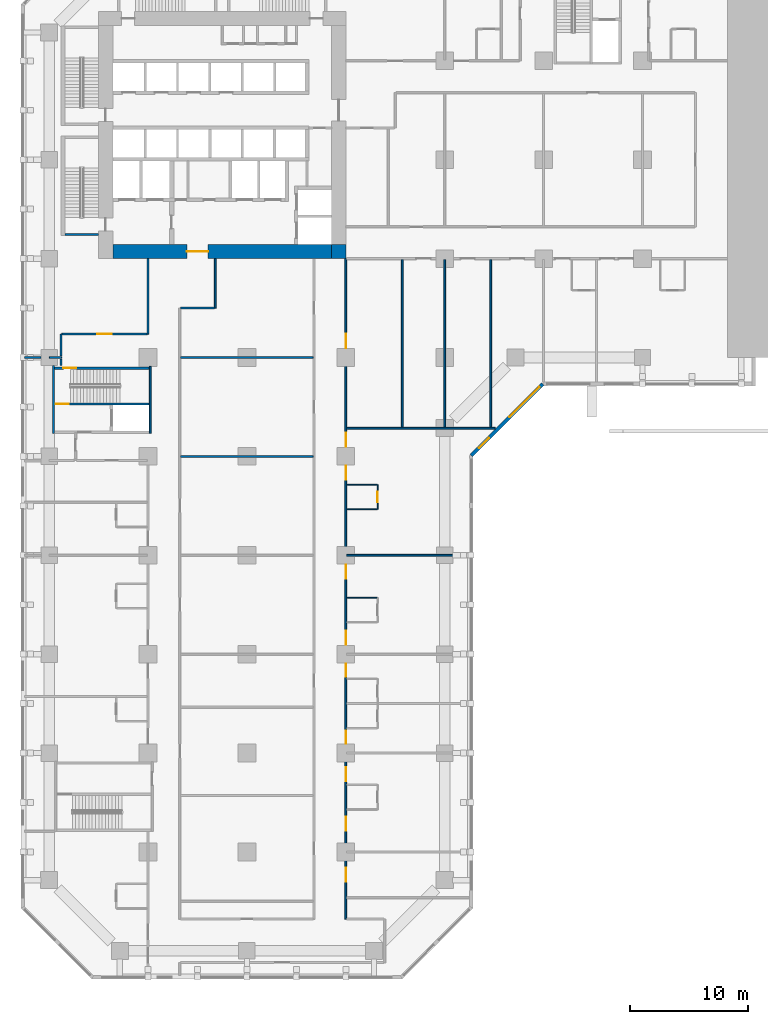
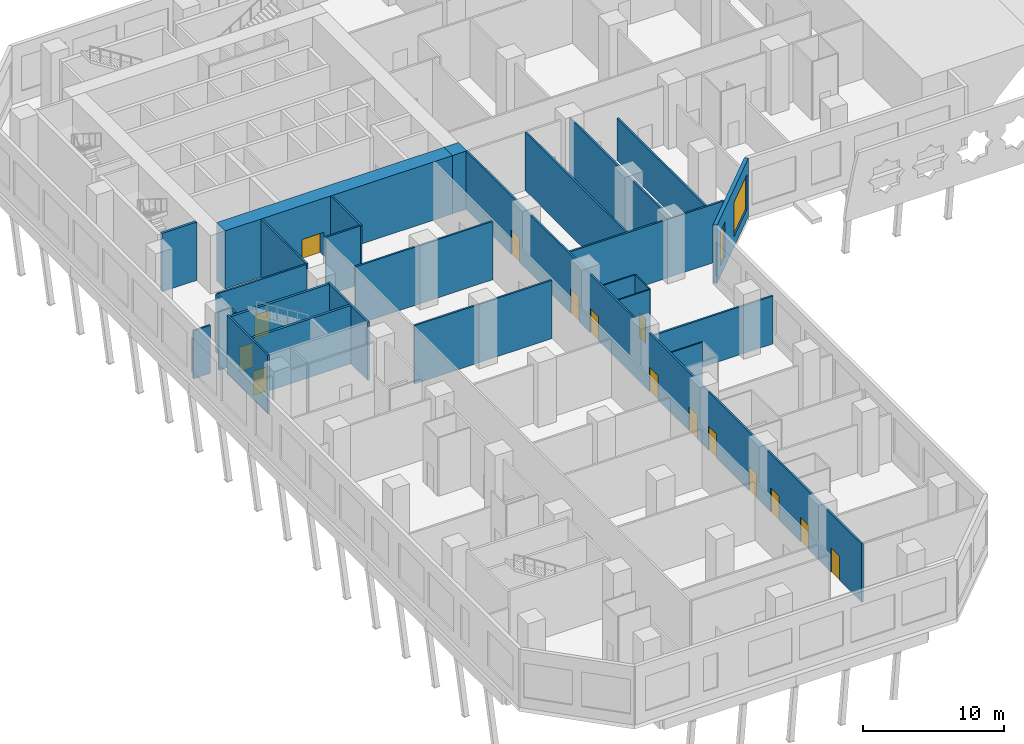
# One storey, part 7 of 24: 28 walls, 15 doors, 2 windows, 17 openings.
"""IFC4 building model written with IfcOpenShell, lengths in metres."""

from ifc_helpers import new_model, si_unit, direction, frame, frame_2d, origin, place, context, subcontext, project, spatial, rectangle, extrude, material, layer, layer_set, type_object, element, fill, save


model = new_model("IFC4")

# Units and contexts
model_context = context("Model", 3, precision=1e-05, world=origin(), true_north=direction((0.0, 1.0)))
body_context = subcontext(model_context, "Body", "Model", "MODEL_VIEW")
ifc_project = project(units=[si_unit("LENGTHUNIT", "METRE"), si_unit("AREAUNIT", "SQUARE_METRE"), si_unit("VOLUMEUNIT", "CUBIC_METRE"), si_unit("PLANEANGLEUNIT", "RADIAN"), si_unit("MASSUNIT", "GRAM", prefix="KILO")], contexts=[model_context])

# Site, building, storey
site_placement = place(None, origin())
site = spatial("IfcSite", under=ifc_project, at=site_placement, CompositionType="ELEMENT")
building_placement = place(site_placement, origin())
building = spatial("IfcBuilding", under=site, at=building_placement, Name="Kawkab Arch Medical Tower", CompositionType="ELEMENT")
storey_placement = place(building_placement, frame((0.0, 0.0, 18.199951171875)))
storey = spatial("IfcBuildingStorey", under=building, at=storey_placement, Name="L04", CompositionType="ELEMENT", Elevation=18.199951171875)

# Wall, opening, door
ifc_material_1 = material(Name="Concrete C60/75", Category="concrete")
ifc_layer_1 = layer(ifc_material_1, 1.199951171875)
ifc_layer_set_1 = layer_set([ifc_layer_1], Name="Concrete C60/75")
wall_type_1 = type_object("IfcWallType", Name="Core ring wall 1200 C60/75", PredefinedType="SHEAR", material=ifc_layer_set_1)
wall_1_placement = place(storey_placement, frame((5.39990234375, -24.60009765625, 0.0), z_axis=(0.0, 0.0, 1.0), x_axis=(1.0, 0.0, 0.0)))
wall_1 = element("IfcWall", 1, at=wall_1_placement, inside=storey, type_object=wall_type_1, Name="L04 core wall", PredefinedType="SHEAR", context=body_context, shape_type="SweptSolid", body=[
    extrude(rectangle(XDim=18.60009765625, YDim=1.199951171875, at=frame_2d((9.300048828125, 0.0))), origin(), (0.0, 0.0, 1.0), 5.050048828125),
])
opening_1_placement = place(wall_1_placement, frame((6.300048828125, 0.0, 0.0)))
opening_1 = element("IfcOpeningElement", 2, at=opening_1_placement, cuts=wall_1, Name="Opening PD", PredefinedType="OPENING", context=body_context, shape_type="SweptSolid", body=[
    extrude(rectangle(XDim=1.800048828125, YDim=2.10009765625, at=frame_2d((0.89990234375, 1.050048828125))), frame((0.0, 0.60986328125, 0.0), z_axis=(0.0, -1.0, 0.0), x_axis=(1.0, 0.0, 0.0)), (0.0, 0.0, 1.0), 1.219970703125),
])
ifc_material_2 = material(Name="Hollow metal fire door leaf")
door_type_1 = type_object("IfcDoorType", Name="Core entrance doors 1800", OperationType="DOUBLE_DOOR_SINGLE_SWING", PredefinedType="DOOR", material=ifc_material_2)
door_1_placement = place(opening_1_placement, origin())
door_1 = element("IfcDoor", 3, at=door_1_placement, inside=storey, type_object=door_type_1, Name="L04 South entrance doors", OperationType="DOUBLE_DOOR_SINGLE_SWING", OverallHeight=2.10009765625, OverallWidth=1.800048828125, PredefinedType="DOOR", context=body_context, shape_type="SweptSolid", body=[
    extrude(rectangle(XDim=1.800048828125, YDim=2.10009765625, at=frame_2d((0.89990234375, 1.050048828125))), frame((0.0, 0.02490234375, 0.0), z_axis=(0.0, -1.0, 0.0), x_axis=(1.0, 0.0, 0.0)), (0.0, 0.0, 1.0), 0.050048828125),
])
fill(opening_1, door_1)

# Walls
wall_2_placement = place(storey_placement, frame((24.60009765625, -25.199951171875, 0.0), z_axis=(0.0, 0.0, 1.0), x_axis=(0.0, 1.0, 0.0)))
element("IfcWall", 4, at=wall_2_placement, inside=storey, type_object=wall_type_1, Name="L04 core wall", PredefinedType="SHEAR", context=body_context, shape_type="SweptSolid", body=[
    extrude(rectangle(XDim=1.199951171875, YDim=1.199951171875, at=frame_2d((0.60009765625, 0.0))), origin(), (0.0, 0.0, 1.0), 5.050048828125),
])
ifc_material_3 = material(Name="Gypsum board partition on steel studs", Category="steel")
ifc_layer_2 = layer(ifc_material_3, 0.10009765625)
ifc_layer_set_2 = layer_set([ifc_layer_2], Name="Gypsum board partition on steel studs")
wall_type_2 = type_object("IfcWallType", Name="Partition 100", PredefinedType="PARTITIONING", material=ifc_layer_set_2)
for number, where, z_axis, x_axis, name in (
    (5, (25.27490234375, -54.0, 0.0), (0.0, 0.0, 1.0), (1.0, 0.0, 0.0), "Partition 100 w010"),
    (6, (25.27490234375, -46.5, 0.0), (0.0, 0.0, 1.0), (1.0, 0.0, 0.0), "Partition 100 w013"),
):
    element("IfcWall", number, at=place(storey_placement, frame(where, z_axis=z_axis, x_axis=x_axis)), inside=storey, type_object=wall_type_2, Name=name, PredefinedType="PARTITIONING", context=body_context, shape_type="SweptSolid", body=[
        extrude(rectangle(XDim=2.57421875, YDim=0.10009765625, at=frame_2d((1.287109375, 0.0))), origin(), (0.0, 0.0, 1.0), 5.050048828125),
    ])
wall_3_placement = place(storey_placement, frame((25.27490234375, -44.39990234375, 0.0), z_axis=(0.0, 0.0, 1.0), x_axis=(1.0, 0.0, 0.0)))
element("IfcWall", 7, at=wall_3_placement, inside=storey, type_object=wall_type_2, Name="Partition 100 w014", PredefinedType="PARTITIONING", context=body_context, shape_type="SweptSolid", body=[
    extrude(rectangle(XDim=2.572998046875, YDim=0.10009765625, at=frame_2d((1.28662109375, 0.0))), origin(), (0.0, 0.0, 1.0), 5.050048828125),
])

# Wall, opening, door
wall_4_placement = place(storey_placement, frame((27.89990234375, -46.498046875, 0.0), z_axis=(0.0, 0.0, 1.0), x_axis=(0.0, 1.0, 0.0)))
wall_4 = element("IfcWall", 8, at=wall_4_placement, inside=storey, type_object=wall_type_2, Name="Partition 100 w029", PredefinedType="PARTITIONING", context=body_context, shape_type="SweptSolid", body=[
    extrude(rectangle(XDim=2.095947265625, YDim=0.10009765625, at=frame_2d((1.0478515625, 0.0))), origin(), (0.0, 0.0, 1.0), 5.050048828125),
])
opening_2_placement = place(wall_4_placement, frame((0.597900390625, 0.0, 0.0)))
opening_2 = element("IfcOpeningElement", 9, at=opening_2_placement, cuts=wall_4, Name="Opening P04-013", PredefinedType="OPENING", context=body_context, shape_type="SweptSolid", body=[
    extrude(rectangle(XDim=0.89990234375, YDim=2.10009765625, at=frame_2d((0.449951171875, 1.050048828125))), frame((0.0, 0.06005859375, 0.0), z_axis=(0.0, -1.0, 0.0), x_axis=(1.0, 0.0, 0.0)), (0.0, 0.0, 1.0), 0.1201171875),
])
ifc_material_4 = material(Name="Timber door leaf", Category="wood")
door_type_2 = type_object("IfcDoorType", Name="Single door 900x2100", OperationType="NOTDEFINED", PredefinedType="DOOR", material=ifc_material_4)
door_2_placement = place(opening_2_placement, origin())
door_2 = element("IfcDoor", 10, at=door_2_placement, inside=storey, type_object=door_type_2, Name="Door P04-013", OperationType="SINGLE_SWING_LEFT", OverallHeight=2.10009765625, OverallWidth=0.89990234375, PredefinedType="DOOR", context=body_context, shape_type="SweptSolid", body=[
    extrude(rectangle(XDim=0.89990234375, YDim=2.10009765625, at=frame_2d((0.449951171875, 1.050048828125))), frame((0.0, 0.02490234375, 0.0), z_axis=(0.0, -1.0, 0.0), x_axis=(1.0, 0.0, 0.0)), (0.0, 0.0, 1.0), 0.050048828125),
])
fill(opening_2, door_2)

# Walls
ifc_material_5 = material(Name="Gypsum board partition on steel studs, mineral wool", Category="steel")
ifc_layer_3 = layer(ifc_material_5, 0.14990234375)
ifc_layer_set_3 = layer_set([ifc_layer_3], Name="Gypsum board partition on steel studs, mineral wool")
wall_type_3 = type_object("IfcWallType", Name="Partition 150", PredefinedType="PARTITIONING", material=ifc_layer_set_3)
wall_5_placement = place(storey_placement, frame((25.27490234375, -50.39990234375, 0.0), z_axis=(0.0, 0.0, 1.0), x_axis=(1.0, 0.0, 0.0)))
element("IfcWall", 11, at=wall_5_placement, inside=storey, type_object=wall_type_3, Name="Partition 150 w059", PredefinedType="PARTITIONING", context=body_context, shape_type="SweptSolid", body=[
    extrude(rectangle(XDim=10.405029296875, YDim=0.14990234375, at=frame_2d((5.20263671875, 0.0))), origin(), (0.0, 0.0, 1.0), 4.150146484375),
])
wall_6_placement = place(storey_placement, frame((11.175048828125, -42.0, 0.0), z_axis=(0.0, 0.0, 1.0), x_axis=(1.0, 0.0, 0.0)))
element("IfcWall", 12, at=wall_6_placement, inside=storey, type_object=wall_type_3, Name="Partition 150 w064", PredefinedType="PARTITIONING", context=body_context, shape_type="SweptSolid", body=[
    extrude(rectangle(XDim=11.25, YDim=0.14990234375, at=frame_2d((5.625, 0.0))), origin(), (0.0, 0.0, 1.0), 5.050048828125),
])
wall_7_placement = place(storey_placement, frame((25.27490234375, -39.60009765625, 0.0), z_axis=(0.0, 0.0, 1.0), x_axis=(1.0, 0.0, 0.0)))
element("IfcWall", 13, at=wall_7_placement, inside=storey, type_object=wall_type_3, Name="Partition 150 w065", PredefinedType="PARTITIONING", context=body_context, shape_type="SweptSolid", body=[
    extrude(rectangle(XDim=12.612060546875, YDim=0.14990234375, at=frame_2d((6.30615234375, 0.0))), origin(), (0.0, 0.0, 1.0), 5.050048828125),
])
wall_8_placement = place(storey_placement, frame((-2.080078125, -33.60009765625, 0.0), z_axis=(0.0, 0.0, 1.0), x_axis=(1.0, 0.0, 0.0)))
element("IfcWall", 14, at=wall_8_placement, inside=storey, type_object=wall_type_3, Name="Partition 150 w066", PredefinedType="PARTITIONING", context=body_context, shape_type="SweptSolid", body=[
    extrude(rectangle(XDim=1.380126953125, YDim=0.14990234375, at=frame_2d((0.68994140625, 0.0))), origin(), (0.0, 0.0, 1.0), 4.150146484375),
])
wall_9_placement = place(storey_placement, frame((0.006103515625, -33.60009765625, 0.0), z_axis=(0.0, 0.0, 1.0), x_axis=(1.0, 0.0, 0.0)))
element("IfcWall", 15, at=wall_9_placement, inside=storey, type_object=wall_type_3, Name="Partition 150 w067", PredefinedType="PARTITIONING", context=body_context, shape_type="SweptSolid", body=[
    extrude(rectangle(XDim=1.04296875, YDim=0.14990234375, at=frame_2d((0.521484375, 0.0))), origin(), (0.0, 0.0, 1.0), 5.050048828125),
])
wall_10_placement = place(storey_placement, frame((11.175048828125, -33.60009765625, 0.0), z_axis=(0.0, 0.0, 1.0), x_axis=(1.0, 0.0, 0.0)))
element("IfcWall", 16, at=wall_10_placement, inside=storey, type_object=wall_type_3, Name="Partition 150 w068", PredefinedType="PARTITIONING", context=body_context, shape_type="SweptSolid", body=[
    extrude(rectangle(XDim=11.25, YDim=0.14990234375, at=frame_2d((5.625, 0.0))), origin(), (0.0, 0.0, 1.0), 5.050048828125),
])

# Wall, opening, door
wall_11_placement = place(storey_placement, frame((1.076904296875, -31.60693359375, 0.0), z_axis=(0.0, 0.0, 1.0), x_axis=(1.0, 0.0, 0.0)))
wall_11 = element("IfcWall", 17, at=wall_11_placement, inside=storey, type_object=wall_type_3, Name="Partition 150 w069", PredefinedType="PARTITIONING", context=body_context, shape_type="SweptSolid", body=[
    extrude(rectangle(XDim=7.248046875, YDim=0.14990234375, at=frame_2d((3.6240234375, 0.0))), origin(), (0.0, 0.0, 1.0), 5.050048828125),
])
opening_3_placement = place(wall_11_placement, frame((3.02392578125, 0.0, 0.0)))
opening_3 = element("IfcOpeningElement", 18, at=opening_3_placement, cuts=wall_11, Name="Opening P04-055", PredefinedType="OPENING", context=body_context, shape_type="SweptSolid", body=[
    extrude(rectangle(XDim=1.199951171875, YDim=2.10009765625, at=frame_2d((0.60009765625, 1.050048828125))), frame((0.0, 0.0849609375, 0.0), z_axis=(0.0, -1.0, 0.0), x_axis=(1.0, 0.0, 0.0)), (0.0, 0.0, 1.0), 0.169921875),
])
ifc_material_6 = material(Name="Hollow metal door leaf")
door_type_3 = type_object("IfcDoorType", Name="Single door 1200x2100 FD30S", OperationType="NOTDEFINED", PredefinedType="DOOR", material=ifc_material_6)
door_3_placement = place(opening_3_placement, origin())
door_3 = element("IfcDoor", 19, at=door_3_placement, inside=storey, type_object=door_type_3, Name="Door P04-055", OperationType="SINGLE_SWING_LEFT", OverallHeight=2.10009765625, OverallWidth=1.199951171875, PredefinedType="DOOR", context=body_context, shape_type="SweptSolid", body=[
    extrude(rectangle(XDim=1.199951171875, YDim=2.10009765625, at=frame_2d((0.60009765625, 1.050048828125))), frame((0.0, 0.02490234375, 0.0), z_axis=(0.0, -1.0, 0.0), x_axis=(1.0, 0.0, 0.0)), (0.0, 0.0, 1.0), 0.050048828125),
])
fill(opening_3, door_3)

# Walls
wall_12_placement = place(storey_placement, frame((11.175048828125, -29.39990234375, 0.0), z_axis=(0.0, 0.0, 1.0), x_axis=(1.0, 0.0, 0.0)))
element("IfcWall", 20, at=wall_12_placement, inside=storey, type_object=wall_type_3, Name="Partition 150 w070", PredefinedType="PARTITIONING", context=body_context, shape_type="SweptSolid", body=[
    extrude(rectangle(XDim=2.849853515625, YDim=0.14990234375, at=frame_2d((1.4248046875, 0.0))), origin(), (0.0, 0.0, 1.0), 5.050048828125),
])
wall_13_placement = place(storey_placement, frame((1.0, -34.27294921875, 0.0), z_axis=(0.0, 0.0, 1.0), x_axis=(0.0, 1.0, 0.0)))
element("IfcWall", 21, at=wall_13_placement, inside=storey, type_object=wall_type_3, Name="Partition 150 w087", PredefinedType="PARTITIONING", context=body_context, shape_type="SweptSolid", body=[
    extrude(rectangle(XDim=0.537841796875, YDim=0.14990234375, at=frame_2d((0.26904296875, 0.0))), origin(), (0.0, 0.0, 1.0), 5.050048828125),
])
wall_14_placement = place(storey_placement, frame((1.0, -33.465087890625, 0.0), z_axis=(0.0, 0.0, 1.0), x_axis=(0.0, 1.0, 0.0)))
element("IfcWall", 22, at=wall_14_placement, inside=storey, type_object=wall_type_3, Name="Partition 150 w088", PredefinedType="PARTITIONING", context=body_context, shape_type="SweptSolid", body=[
    extrude(rectangle(XDim=1.856201171875, YDim=0.14990234375, at=frame_2d((0.92822265625, 0.0))), origin(), (0.0, 0.0, 1.0), 5.050048828125),
])
wall_15_placement = place(storey_placement, frame((8.39990234375, -31.60693359375, 0.0), z_axis=(0.0, 0.0, 1.0), x_axis=(0.0, 1.0, 0.0)))
element("IfcWall", 23, at=wall_15_placement, inside=storey, type_object=wall_type_3, Name="Partition 150 w093", PredefinedType="PARTITIONING", context=body_context, shape_type="SweptSolid", body=[
    extrude(rectangle(XDim=6.406982421875, YDim=0.14990234375, at=frame_2d((3.20361328125, 0.0))), origin(), (0.0, 0.0, 1.0), 5.050048828125),
])
wall_16_placement = place(storey_placement, frame((14.10009765625, -29.39990234375, 0.0), z_axis=(0.0, 0.0, 1.0), x_axis=(0.0, 1.0, 0.0)))
element("IfcWall", 24, at=wall_16_placement, inside=storey, type_object=wall_type_3, Name="Partition 150 w096", PredefinedType="PARTITIONING", context=body_context, shape_type="SweptSolid", body=[
    extrude(rectangle(XDim=4.199951171875, YDim=0.14990234375, at=frame_2d((2.10009765625, 0.0))), origin(), (0.0, 0.0, 1.0), 5.050048828125),
])

# Wall, openings, doors
wall_17_placement = place(storey_placement, frame((25.199951171875, -81.300048828125, 0.0), z_axis=(0.0, 0.0, 1.0), x_axis=(0.0, 1.0, 0.0)))
wall_17 = element("IfcWall", 25, at=wall_17_placement, inside=storey, type_object=wall_type_3, Name="Partition 150 w098", PredefinedType="PARTITIONING", context=body_context, shape_type="SweptSolid", body=[
    extrude(rectangle(XDim=56.10009765625, YDim=0.14990234375, at=frame_2d((28.050048828125, 0.0))), origin(), (0.0, 0.0, 1.0), 5.050048828125),
])
opening_4_placement = place(wall_17_placement, frame((48.5, 0.0, 0.0)))
opening_4 = element("IfcOpeningElement", 26, at=opening_4_placement, cuts=wall_17, Name="Opening P04-045", PredefinedType="OPENING", context=body_context, shape_type="SweptSolid", body=[
    extrude(rectangle(XDim=1.199951171875, YDim=2.10009765625, at=frame_2d((0.60009765625, 1.050048828125))), frame((0.0, 0.0849609375, 0.0), z_axis=(0.0, -1.0, 0.0), x_axis=(1.0, 0.0, 0.0)), (0.0, 0.0, 1.0), 0.169921875),
])
opening_5_placement = place(wall_17_placement, frame((40.10009765625, 0.0, 0.0)))
opening_5 = element("IfcOpeningElement", 27, at=opening_5_placement, cuts=wall_17, Name="Opening P04-062", PredefinedType="OPENING", context=body_context, shape_type="SweptSolid", body=[
    extrude(rectangle(XDim=1.199951171875, YDim=2.10009765625, at=frame_2d((0.60009765625, 1.050048828125))), frame((0.0, 0.0849609375, 0.0), z_axis=(0.0, -1.0, 0.0), x_axis=(1.0, 0.0, 0.0)), (0.0, 0.0, 1.0), 0.169921875),
])
opening_6_placement = place(wall_17_placement, frame((37.300048828125, 0.0, 0.0)))
opening_6 = element("IfcOpeningElement", 28, at=opening_6_placement, cuts=wall_17, Name="Opening P04-063", PredefinedType="OPENING", context=body_context, shape_type="SweptSolid", body=[
    extrude(rectangle(XDim=1.199951171875, YDim=2.10009765625, at=frame_2d((0.60009765625, 1.050048828125))), frame((0.0, 0.0849609375, 0.0), z_axis=(0.0, -1.0, 0.0), x_axis=(1.0, 0.0, 0.0)), (0.0, 0.0, 1.0), 0.169921875),
])
opening_7_placement = place(wall_17_placement, frame((28.89990234375, 0.0, 0.0)))
opening_7 = element("IfcOpeningElement", 29, at=opening_7_placement, cuts=wall_17, Name="Opening P04-064", PredefinedType="OPENING", context=body_context, shape_type="SweptSolid", body=[
    extrude(rectangle(XDim=1.199951171875, YDim=2.10009765625, at=frame_2d((0.60009765625, 1.050048828125))), frame((0.0, 0.0849609375, 0.0), z_axis=(0.0, -1.0, 0.0), x_axis=(1.0, 0.0, 0.0)), (0.0, 0.0, 1.0), 0.169921875),
])
opening_8_placement = place(wall_17_placement, frame((23.300048828125, 0.0, 0.0)))
opening_8 = element("IfcOpeningElement", 30, at=opening_8_placement, cuts=wall_17, Name="Opening P04-065", PredefinedType="OPENING", context=body_context, shape_type="SweptSolid", body=[
    extrude(rectangle(XDim=1.199951171875, YDim=2.10009765625, at=frame_2d((0.60009765625, 1.050048828125))), frame((0.0, 0.0849609375, 0.0), z_axis=(0.0, -1.0, 0.0), x_axis=(1.0, 0.0, 0.0)), (0.0, 0.0, 1.0), 0.169921875),
])
opening_9_placement = place(wall_17_placement, frame((20.60009765625, 0.0, 0.0)))
opening_9 = element("IfcOpeningElement", 31, at=opening_9_placement, cuts=wall_17, Name="Opening P04-037", PredefinedType="OPENING", context=body_context, shape_type="SweptSolid", body=[
    extrude(rectangle(XDim=1.10009765625, YDim=2.10009765625, at=frame_2d((0.550048828125, 1.050048828125))), frame((0.0, 0.0849609375, 0.0), z_axis=(0.0, -1.0, 0.0), x_axis=(1.0, 0.0, 0.0)), (0.0, 0.0, 1.0), 0.169921875),
])
opening_10_placement = place(wall_17_placement, frame((14.89990234375, 0.0, 0.0)))
opening_10 = element("IfcOpeningElement", 32, at=opening_10_placement, cuts=wall_17, Name="Opening P04-038", PredefinedType="OPENING", context=body_context, shape_type="SweptSolid", body=[
    extrude(rectangle(XDim=1.10009765625, YDim=2.10009765625, at=frame_2d((0.550048828125, 1.050048828125))), frame((0.0, 0.0849609375, 0.0), z_axis=(0.0, -1.0, 0.0), x_axis=(1.0, 0.0, 0.0)), (0.0, 0.0, 1.0), 0.169921875),
])
opening_11_placement = place(wall_17_placement, frame((7.5, 0.0, 0.0)))
opening_11 = element("IfcOpeningElement", 33, at=opening_11_placement, cuts=wall_17, Name="Opening P04-066", PredefinedType="OPENING", context=body_context, shape_type="SweptSolid", body=[
    extrude(rectangle(XDim=1.199951171875, YDim=2.10009765625, at=frame_2d((0.60009765625, 1.050048828125))), frame((0.0, 0.0849609375, 0.0), z_axis=(0.0, -1.0, 0.0), x_axis=(1.0, 0.0, 0.0)), (0.0, 0.0, 1.0), 0.169921875),
])
opening_12_placement = place(wall_17_placement, frame((11.699951171875, 0.0, 0.0)))
opening_12 = element("IfcOpeningElement", 34, at=opening_12_placement, cuts=wall_17, Name="Opening P04-067", PredefinedType="OPENING", context=body_context, shape_type="SweptSolid", body=[
    extrude(rectangle(XDim=1.199951171875, YDim=2.10009765625, at=frame_2d((0.60009765625, 1.050048828125))), frame((0.0, 0.0849609375, 0.0), z_axis=(0.0, -1.0, 0.0), x_axis=(1.0, 0.0, 0.0)), (0.0, 0.0, 1.0), 0.169921875),
])
opening_13_placement = place(wall_17_placement, frame((3.14990234375, 0.0, 0.0)))
opening_13 = element("IfcOpeningElement", 35, at=opening_13_placement, cuts=wall_17, Name="Opening P04-068", PredefinedType="OPENING", context=body_context, shape_type="SweptSolid", body=[
    extrude(rectangle(XDim=1.199951171875, YDim=2.10009765625, at=frame_2d((0.60009765625, 1.050048828125))), frame((0.0, 0.0849609375, 0.0), z_axis=(0.0, -1.0, 0.0), x_axis=(1.0, 0.0, 0.0)), (0.0, 0.0, 1.0), 0.169921875),
])
ifc_material_7 = material(Name="Hollow metal door leaf")
door_type_4 = type_object("IfcDoorType", Name="Single door 1100x2100 FD30S", OperationType="NOTDEFINED", PredefinedType="DOOR", material=ifc_material_7)
door_4_placement = place(opening_9_placement, origin())
door_4 = element("IfcDoor", 36, at=door_4_placement, inside=storey, type_object=door_type_4, Name="Door P04-037", OperationType="SINGLE_SWING_RIGHT", OverallHeight=2.10009765625, OverallWidth=1.10009765625, PredefinedType="DOOR", context=body_context, shape_type="SweptSolid", body=[
    extrude(rectangle(XDim=1.10009765625, YDim=2.10009765625, at=frame_2d((0.550048828125, 1.050048828125))), frame((0.0, 0.02490234375, 0.0), z_axis=(0.0, -1.0, 0.0), x_axis=(1.0, 0.0, 0.0)), (0.0, 0.0, 1.0), 0.050048828125),
])
fill(opening_9, door_4)
door_5_placement = place(opening_10_placement, origin())
door_5 = element("IfcDoor", 37, at=door_5_placement, inside=storey, type_object=door_type_4, Name="Door P04-038", OperationType="SINGLE_SWING_RIGHT", OverallHeight=2.10009765625, OverallWidth=1.10009765625, PredefinedType="DOOR", context=body_context, shape_type="SweptSolid", body=[
    extrude(rectangle(XDim=1.10009765625, YDim=2.10009765625, at=frame_2d((0.550048828125, 1.050048828125))), frame((0.0, 0.02490234375, 0.0), z_axis=(0.0, -1.0, 0.0), x_axis=(1.0, 0.0, 0.0)), (0.0, 0.0, 1.0), 0.050048828125),
])
fill(opening_10, door_5)
door_6_placement = place(opening_4_placement, origin())
door_6 = element("IfcDoor", 38, at=door_6_placement, inside=storey, type_object=door_type_3, Name="Door P04-045", OperationType="SINGLE_SWING_LEFT", OverallHeight=2.10009765625, OverallWidth=1.199951171875, PredefinedType="DOOR", context=body_context, shape_type="SweptSolid", body=[
    extrude(rectangle(XDim=1.199951171875, YDim=2.10009765625, at=frame_2d((0.60009765625, 1.050048828125))), frame((0.0, 0.02490234375, 0.0), z_axis=(0.0, -1.0, 0.0), x_axis=(1.0, 0.0, 0.0)), (0.0, 0.0, 1.0), 0.050048828125),
])
fill(opening_4, door_6)
door_7_placement = place(opening_5_placement, origin())
door_7 = element("IfcDoor", 39, at=door_7_placement, inside=storey, type_object=door_type_3, Name="Door P04-062", OperationType="SINGLE_SWING_LEFT", OverallHeight=2.10009765625, OverallWidth=1.199951171875, PredefinedType="DOOR", context=body_context, shape_type="SweptSolid", body=[
    extrude(rectangle(XDim=1.199951171875, YDim=2.10009765625, at=frame_2d((0.60009765625, 1.050048828125))), frame((0.0, 0.02490234375, 0.0), z_axis=(0.0, -1.0, 0.0), x_axis=(1.0, 0.0, 0.0)), (0.0, 0.0, 1.0), 0.050048828125),
])
fill(opening_5, door_7)
door_8_placement = place(opening_6_placement, origin())
door_8 = element("IfcDoor", 40, at=door_8_placement, inside=storey, type_object=door_type_3, Name="Door P04-063", OperationType="SINGLE_SWING_LEFT", OverallHeight=2.10009765625, OverallWidth=1.199951171875, PredefinedType="DOOR", context=body_context, shape_type="SweptSolid", body=[
    extrude(rectangle(XDim=1.199951171875, YDim=2.10009765625, at=frame_2d((0.60009765625, 1.050048828125))), frame((0.0, 0.02490234375, 0.0), z_axis=(0.0, -1.0, 0.0), x_axis=(1.0, 0.0, 0.0)), (0.0, 0.0, 1.0), 0.050048828125),
])
fill(opening_6, door_8)
door_9_placement = place(opening_7_placement, origin())
door_9 = element("IfcDoor", 41, at=door_9_placement, inside=storey, type_object=door_type_3, Name="Door P04-064", OperationType="SINGLE_SWING_LEFT", OverallHeight=2.10009765625, OverallWidth=1.199951171875, PredefinedType="DOOR", context=body_context, shape_type="SweptSolid", body=[
    extrude(rectangle(XDim=1.199951171875, YDim=2.10009765625, at=frame_2d((0.60009765625, 1.050048828125))), frame((0.0, 0.02490234375, 0.0), z_axis=(0.0, -1.0, 0.0), x_axis=(1.0, 0.0, 0.0)), (0.0, 0.0, 1.0), 0.050048828125),
])
fill(opening_7, door_9)
door_10_placement = place(opening_8_placement, origin())
door_10 = element("IfcDoor", 42, at=door_10_placement, inside=storey, type_object=door_type_3, Name="Door P04-065", OperationType="SINGLE_SWING_RIGHT", OverallHeight=2.10009765625, OverallWidth=1.199951171875, PredefinedType="DOOR", context=body_context, shape_type="SweptSolid", body=[
    extrude(rectangle(XDim=1.199951171875, YDim=2.10009765625, at=frame_2d((0.60009765625, 1.050048828125))), frame((0.0, 0.02490234375, 0.0), z_axis=(0.0, -1.0, 0.0), x_axis=(1.0, 0.0, 0.0)), (0.0, 0.0, 1.0), 0.050048828125),
])
fill(opening_8, door_10)
door_11_placement = place(opening_11_placement, origin())
door_11 = element("IfcDoor", 43, at=door_11_placement, inside=storey, type_object=door_type_3, Name="Door P04-066", OperationType="SINGLE_SWING_RIGHT", OverallHeight=2.10009765625, OverallWidth=1.199951171875, PredefinedType="DOOR", context=body_context, shape_type="SweptSolid", body=[
    extrude(rectangle(XDim=1.199951171875, YDim=2.10009765625, at=frame_2d((0.60009765625, 1.050048828125))), frame((0.0, 0.02490234375, 0.0), z_axis=(0.0, -1.0, 0.0), x_axis=(1.0, 0.0, 0.0)), (0.0, 0.0, 1.0), 0.050048828125),
])
fill(opening_11, door_11)
door_12_placement = place(opening_12_placement, origin())
door_12 = element("IfcDoor", 44, at=door_12_placement, inside=storey, type_object=door_type_3, Name="Door P04-067", OperationType="SINGLE_SWING_RIGHT", OverallHeight=2.10009765625, OverallWidth=1.199951171875, PredefinedType="DOOR", context=body_context, shape_type="SweptSolid", body=[
    extrude(rectangle(XDim=1.199951171875, YDim=2.10009765625, at=frame_2d((0.60009765625, 1.050048828125))), frame((0.0, 0.02490234375, 0.0), z_axis=(0.0, -1.0, 0.0), x_axis=(1.0, 0.0, 0.0)), (0.0, 0.0, 1.0), 0.050048828125),
])
fill(opening_12, door_12)
door_13_placement = place(opening_13_placement, origin())
door_13 = element("IfcDoor", 45, at=door_13_placement, inside=storey, type_object=door_type_3, Name="Door P04-068", OperationType="SINGLE_SWING_RIGHT", OverallHeight=2.10009765625, OverallWidth=1.199951171875, PredefinedType="DOOR", context=body_context, shape_type="SweptSolid", body=[
    extrude(rectangle(XDim=1.199951171875, YDim=2.10009765625, at=frame_2d((0.60009765625, 1.050048828125))), frame((0.0, 0.02490234375, 0.0), z_axis=(0.0, -1.0, 0.0), x_axis=(1.0, 0.0, 0.0)), (0.0, 0.0, 1.0), 0.050048828125),
])
fill(opening_13, door_13)

# Walls
for number, where, z_axis, x_axis, name in (
    (46, (30.0, -39.52490234375, 0.0), (0.0, 0.0, 1.0), (0.0, 1.0, 0.0), "Partition 150 w102"),
    (47, (33.60009765625, -39.52490234375, 0.0), (0.0, 0.0, 1.0), (0.0, 1.0, 0.0), "Partition 150 w103"),
):
    element("IfcWall", number, at=place(storey_placement, frame(where, z_axis=z_axis, x_axis=x_axis)), inside=storey, type_object=wall_type_3, Name=name, PredefinedType="PARTITIONING", context=body_context, shape_type="SweptSolid", body=[
        extrude(rectangle(XDim=14.25, YDim=0.14990234375, at=frame_2d((7.125, 0.0))), origin(), (0.0, 0.0, 1.0), 5.050048828125),
    ])
wall_18_placement = place(storey_placement, frame((37.5, -39.52490234375, 0.0), z_axis=(0.0, 0.0, 1.0), x_axis=(0.0, 1.0, 0.0)))
element("IfcWall", 48, at=wall_18_placement, inside=storey, type_object=wall_type_3, Name="Partition 150 w106", PredefinedType="PARTITIONING", context=body_context, shape_type="SweptSolid", body=[
    extrude(rectangle(XDim=14.25, YDim=0.14990234375, at=frame_2d((7.125, 0.0))), origin(), (0.0, 0.0, 1.0), 3.650146484375),
])

# Wall, openings, windows
ifc_material_8 = material(Name="Bronze clad insulated wall panel")
ifc_layer_4 = layer(ifc_material_8, 0.300048828125)
ifc_layer_set_4 = layer_set([ifc_layer_4], Name="Bronze clad insulated wall panel")
wall_type_4 = type_object("IfcWallType", Name="Podium external wall 300", PredefinedType="SOLIDWALL", material=ifc_layer_set_4)
wall_19_placement = place(storey_placement, frame((35.85009765625, -41.93798828125, 0.0), z_axis=(0.0, 0.0, 1.0), x_axis=(0.707106781187, 0.707106781187, 0.0)))
wall_19 = element("IfcWall", 49, at=wall_19_placement, inside=storey, type_object=wall_type_4, Name="Podium external wall L04 R02", PredefinedType="SOLIDWALL", context=body_context, shape_type="SweptSolid", body=[
    extrude(rectangle(XDim=8.609619140625, YDim=0.300048828125, at=frame_2d((4.3046875, 0.0))), origin(), (0.0, 0.0, 1.0), 5.050048828125),
])
opening_14_placement = place(wall_19_placement, frame((0.93408203125, 0.0, 0.89990234375)))
opening_14 = element("IfcOpeningElement", 50, at=opening_14_placement, cuts=wall_19, Name="Opening PBW120-30-S9", PredefinedType="OPENING", context=body_context, shape_type="SweptSolid", body=[
    extrude(rectangle(XDim=1.199951171875, YDim=3.0, at=frame_2d((0.60009765625, 1.5))), frame((0.0, 0.159912109375, 0.0), z_axis=(0.0, -1.0, 0.0), x_axis=(1.0, 0.0, 0.0)), (0.0, 0.0, 1.0), 0.320068359375),
])
opening_15_placement = place(wall_19_placement, frame((4.6259765625, 0.0, 0.89990234375)))
opening_15 = element("IfcOpeningElement", 51, at=opening_15_placement, cuts=wall_19, Name="Opening PBW360-30-S9", PredefinedType="OPENING", context=body_context, shape_type="SweptSolid", body=[
    extrude(rectangle(XDim=3.60009765625, YDim=3.0, at=frame_2d((1.800048828125, 1.5))), frame((0.0, 0.159912109375, 0.0), z_axis=(0.0, -1.0, 0.0), x_axis=(1.0, 0.0, 0.0)), (0.0, 0.0, 1.0), 0.320068359375),
])
ifc_material_9 = material(Name="Bronze anodised aluminium louvred window", Category="aluminium")
window_type_1 = type_object("IfcWindowType", Name="Podium band window 1200 x 3000 sill 900", PartitioningType="DOUBLE_PANEL_VERTICAL", PredefinedType="WINDOW", material=ifc_material_9)
window_1_placement = place(opening_14_placement, origin())
window_1 = element("IfcWindow", 52, at=window_1_placement, inside=storey, type_object=window_type_1, Name="Band window L04 R02.1", OverallHeight=3.0, OverallWidth=1.199951171875, PartitioningType="SINGLE_PANEL", PredefinedType="WINDOW", context=body_context, shape_type="SweptSolid", body=[
    extrude(rectangle(XDim=1.199951171875, YDim=3.0, at=frame_2d((0.60009765625, 1.5))), frame((0.0, 0.030029296875, 0.0), z_axis=(0.0, -1.0, 0.0), x_axis=(1.0, 0.0, 0.0)), (0.0, 0.0, 1.0), 0.06005859375),
])
fill(opening_14, window_1)
ifc_material_10 = material(Name="Bronze anodised aluminium louvred window", Category="aluminium")
window_type_2 = type_object("IfcWindowType", Name="Podium band window 3600 x 3000 sill 900", PartitioningType="DOUBLE_PANEL_VERTICAL", PredefinedType="WINDOW", material=ifc_material_10)
window_2_placement = place(opening_15_placement, origin())
window_2 = element("IfcWindow", 53, at=window_2_placement, inside=storey, type_object=window_type_2, Name="Band window L04 R02.2", OverallHeight=3.0, OverallWidth=3.60009765625, PartitioningType="SINGLE_PANEL", PredefinedType="WINDOW", context=body_context, shape_type="SweptSolid", body=[
    extrude(rectangle(XDim=3.60009765625, YDim=3.0, at=frame_2d((1.800048828125, 1.5))), frame((0.0, 0.030029296875, 0.0), z_axis=(0.0, -1.0, 0.0), x_axis=(1.0, 0.0, 0.0)), (0.0, 0.0, 1.0), 0.06005859375),
])
fill(opening_15, window_2)

# Walls
ifc_material_11 = material(Name="Concrete C50/60", Category="concrete")
ifc_layer_5 = layer(ifc_material_11, 0.14990234375)
ifc_layer_set_5 = layer_set([ifc_layer_5], Name="Concrete C50/60")
wall_type_5 = type_object("IfcWallType", Name="Stair enclosure wall 150 C50/60", PredefinedType="SHEAR", material=ifc_layer_set_5)
wall_20_placement = place(storey_placement, frame((0.375, -40.050048828125, 0.0), z_axis=(0.0, 0.0, 1.0), x_axis=(0.0, 1.0, 0.0)))
element("IfcWall", 54, at=wall_20_placement, inside=storey, type_object=wall_type_5, Name="L04 stair enclosure wall", PredefinedType="SHEAR", context=body_context, shape_type="SweptSolid", body=[
    extrude(rectangle(XDim=5.75, YDim=0.14990234375, at=frame_2d((2.875, 0.0))), origin(), (0.0, 0.0, 1.0), 5.050048828125),
])
wall_21_placement = place(storey_placement, frame((8.574951171875, -40.050048828125, 0.0), z_axis=(0.0, 0.0, 1.0), x_axis=(0.0, 1.0, 0.0)))
element("IfcWall", 55, at=wall_21_placement, inside=storey, type_object=wall_type_5, Name="L04 stair enclosure wall", PredefinedType="SHEAR", context=body_context, shape_type="SweptSolid", body=[
    extrude(rectangle(XDim=5.699951171875, YDim=0.14990234375, at=frame_2d((2.85009765625, 0.0))), origin(), (0.0, 0.0, 1.0), 5.050048828125),
])
ifc_material_12 = material(Name="Concrete C50/60", Category="concrete")
ifc_layer_6 = layer(ifc_material_12, 0.199951171875)
ifc_layer_set_6 = layer_set([ifc_layer_6], Name="Concrete C50/60")
wall_type_6 = type_object("IfcWallType", Name="Stair enclosure wall 200 C50/60", PredefinedType="SHEAR", material=ifc_layer_set_6)
wall_22_placement = place(storey_placement, frame((1.35009765625, -23.14990234375, 0.0), z_axis=(0.0, 0.0, 1.0), x_axis=(1.0, 0.0, 0.0)))
element("IfcWall", 56, at=wall_22_placement, inside=storey, type_object=wall_type_6, Name="L04 stair enclosure wall", PredefinedType="SHEAR", context=body_context, shape_type="SweptSolid", body=[
    extrude(rectangle(XDim=2.849853515625, YDim=0.199951171875, at=frame_2d((1.4248046875, 0.0))), origin(), (0.0, 0.0, 1.0), 5.050048828125),
])

# Wall, opening, door
wall_23_placement = place(storey_placement, frame((0.449951171875, -34.5, 0.0), z_axis=(0.0, 0.0, 1.0), x_axis=(1.0, 0.0, 0.0)))
wall_23 = element("IfcWall", 57, at=wall_23_placement, inside=storey, type_object=wall_type_6, Name="L04 stair enclosure wall", PredefinedType="SHEAR", context=body_context, shape_type="SweptSolid", body=[
    extrude(rectangle(XDim=8.050048828125, YDim=0.199951171875, at=frame_2d((4.02490234375, 0.0))), origin(), (0.0, 0.0, 1.0), 5.050048828125),
])
opening_16_placement = place(wall_23_placement, frame((0.75, 0.0, 0.0)))
opening_16 = element("IfcOpeningElement", 58, at=opening_16_placement, cuts=wall_23, Name="Opening SD", PredefinedType="OPENING", context=body_context, shape_type="SweptSolid", body=[
    extrude(rectangle(XDim=1.10009765625, YDim=2.10009765625, at=frame_2d((0.550048828125, 1.050048828125))), frame((0.0, 0.10986328125, 0.0), z_axis=(0.0, -1.0, 0.0), x_axis=(1.0, 0.0, 0.0)), (0.0, 0.0, 1.0), 0.219970703125),
])
ifc_material_13 = material(Name="Hollow metal fire door leaf")
door_type_5 = type_object("IfcDoorType", Name="Exit stair door 1100", OperationType="SINGLE_SWING_LEFT", PredefinedType="DOOR", material=ifc_material_13)
door_14_placement = place(opening_16_placement, origin())
door_14 = element("IfcDoor", 59, at=door_14_placement, inside=storey, type_object=door_type_5, Name="L04 Exit stair ST6 door", OperationType="SINGLE_SWING_LEFT", OverallHeight=2.10009765625, OverallWidth=1.10009765625, PredefinedType="DOOR", context=body_context, shape_type="SweptSolid", body=[
    extrude(rectangle(XDim=1.10009765625, YDim=2.10009765625, at=frame_2d((0.550048828125, 1.050048828125))), frame((0.0, 0.02490234375, 0.0), z_axis=(0.0, -1.0, 0.0), x_axis=(1.0, 0.0, 0.0)), (0.0, 0.0, 1.0), 0.050048828125),
])
fill(opening_16, door_14)

wall_24_placement = place(storey_placement, frame((0.449951171875, -37.550048828125, 0.0), z_axis=(0.0, 0.0, 1.0), x_axis=(1.0, 0.0, 0.0)))
wall_24 = element("IfcWall", 60, at=wall_24_placement, inside=storey, type_object=wall_type_6, Name="L04 stair enclosure wall", PredefinedType="SHEAR", context=body_context, shape_type="SweptSolid", body=[
    extrude(rectangle(XDim=8.050048828125, YDim=0.199951171875, at=frame_2d((4.02490234375, 0.0))), origin(), (0.0, 0.0, 1.0), 5.050048828125),
])
opening_17_placement = place(wall_24_placement, frame((0.10009765625, 0.0, 0.0)))
opening_17 = element("IfcOpeningElement", 61, at=opening_17_placement, cuts=wall_24, Name="Opening SD", PredefinedType="OPENING", context=body_context, shape_type="SweptSolid", body=[
    extrude(rectangle(XDim=1.10009765625, YDim=2.10009765625, at=frame_2d((0.550048828125, 1.050048828125))), frame((0.0, 0.10986328125, 0.0), z_axis=(0.0, -1.0, 0.0), x_axis=(1.0, 0.0, 0.0)), (0.0, 0.0, 1.0), 0.219970703125),
])
door_15_placement = place(opening_17_placement, frame((1.10009765625, 0.0, 0.0), z_axis=(0.0, 0.0, 1.0), x_axis=(-1.0, 0.0, 0.0)))
door_15 = element("IfcDoor", 62, at=door_15_placement, inside=storey, type_object=door_type_5, Name="L04 Exit stair ST6 lobby door", OperationType="SINGLE_SWING_LEFT", OverallHeight=2.10009765625, OverallWidth=1.10009765625, PredefinedType="DOOR", context=body_context, shape_type="SweptSolid", body=[
    extrude(rectangle(XDim=1.10009765625, YDim=2.10009765625, at=frame_2d((0.550048828125, 1.050048828125))), frame((0.0, 0.02490234375, 0.0), z_axis=(0.0, -1.0, 0.0), x_axis=(1.0, 0.0, 0.0)), (0.0, 0.0, 1.0), 0.050048828125),
])
fill(opening_17, door_15)

save(model, "model.ifc")
